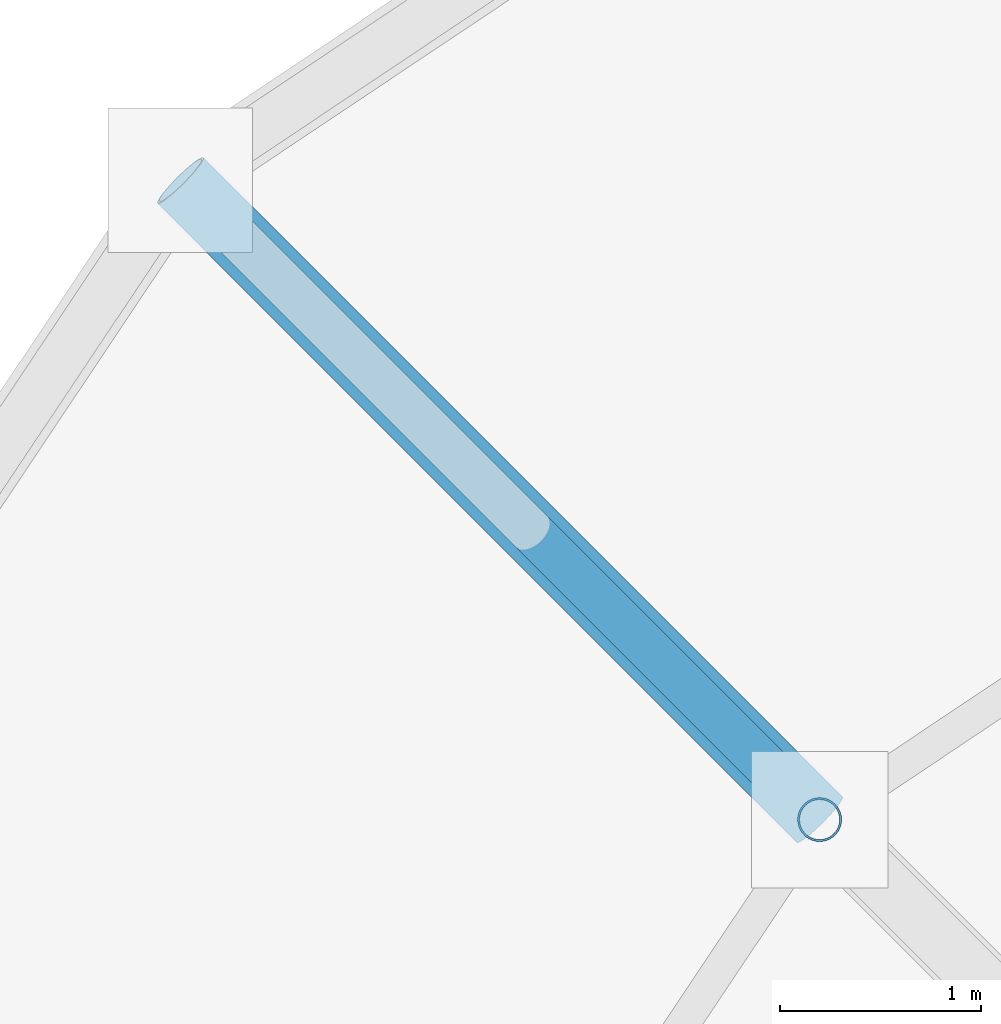
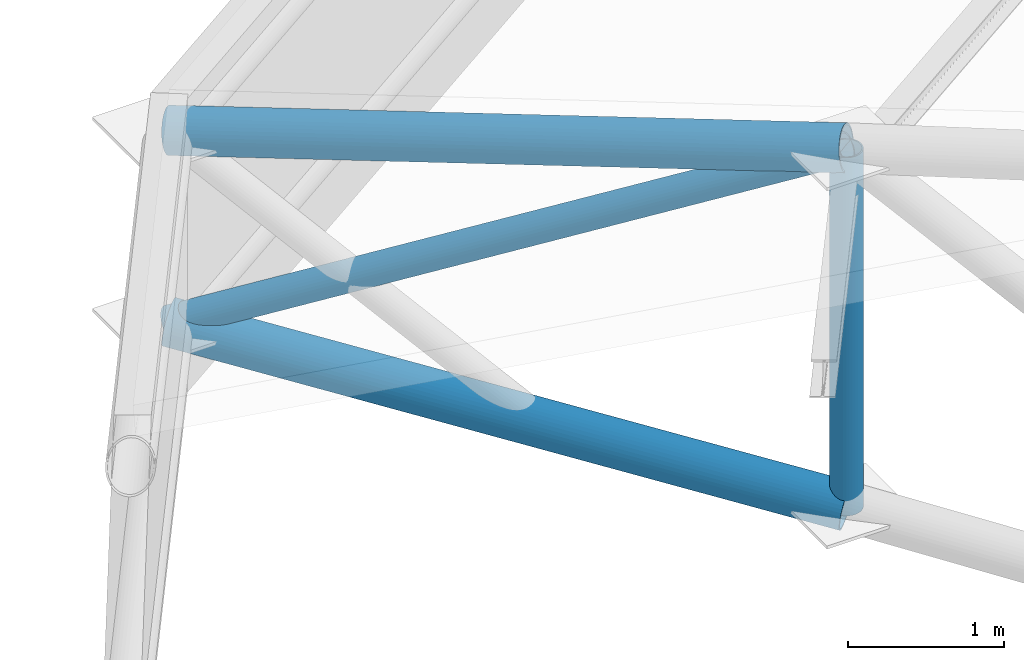
# One storey, part 46 of 146: 4 members.
"""IFC4 building model written with IfcOpenShell, lengths in metres."""

from ifc_helpers import new_model, si_unit, direction, frame, origin, origin_2d, place, context, subcontext, project, spatial, hollow_circle, extrude, material, material_profile, profile_set, type_object, element, save


model = new_model("IFC4")

# Units and contexts
model_context = context("Model", 3, precision=1e-05, world=origin(), true_north=direction((0.0, 1.0)))
body_context = subcontext(model_context, "Body", "Model", "MODEL_VIEW")
ifc_project = project(units=[si_unit("LENGTHUNIT", "METRE"), si_unit("AREAUNIT", "SQUARE_METRE"), si_unit("VOLUMEUNIT", "CUBIC_METRE"), si_unit("PLANEANGLEUNIT", "RADIAN"), si_unit("MASSUNIT", "GRAM", prefix="KILO")], contexts=[model_context])

# Site, building, storey
site_placement = place(None, origin())
site = spatial("IfcSite", under=ifc_project, at=site_placement, CompositionType="ELEMENT")
building_placement = place(site_placement, origin())
building = spatial("IfcBuilding", under=site, at=building_placement, Name="Candeia Ridge Stadium", CompositionType="ELEMENT")
storey_placement = place(building_placement, frame((0.0, 0.0, 31.800048828125)))
storey = spatial("IfcBuildingStorey", under=building, at=storey_placement, Name="RF", CompositionType="ELEMENT", Elevation=31.800048828125)

# Members
ifc_material = material(Name="Steel ASTM A572 Grade 50", Category="steel")
ifc_material_profile_1 = material_profile(ifc_material, hollow_circle(Radius=0.161865234375, WallThickness=0.012451171875, at=origin_2d()), Name="CHS323x12", Category="steel")
ifc_profile_set_1 = profile_set([ifc_material_profile_1], Name="Steel ASTM A572 Grade 50")
member_type_1 = type_object("IfcMemberType", Name="Roof Truss Eaves Chord CHS323x12", PredefinedType="CHORD", material=ifc_profile_set_1)
member_1_placement = place(storey_placement, frame((30.83642578125, 135.16357421875, 3.958251953125), z_axis=(-0.699233040755, 0.699233040755, -0.148816361443), x_axis=(-0.707106781187, -0.707106781187, 0.0)))
element("IfcMember", 1, at=member_1_placement, inside=storey, type_object=member_type_1, Name="Roof cantilever truss RT-10 top chord 8", PredefinedType="CHORD", context=body_context, shape_type="SweptSolid", body=[
    extrude(hollow_circle(Radius=0.161865234375, WallThickness=0.012451171875, at=origin_2d()), origin(), (0.0, 0.0, 1.0), 4.55078125),
])
member_2_placement = place(storey_placement, frame((30.83642578125, 135.16357421875, 1.15185546875), z_axis=(-0.700296133436, 0.700296133436, 0.138458119983), x_axis=(-0.707106781187, -0.707106781187, 0.0)))
element("IfcMember", 2, at=member_2_placement, inside=storey, type_object=member_type_1, Name="Roof cantilever truss RT-10 bottom chord 8", PredefinedType="CHORD", context=body_context, shape_type="SweptSolid", body=[
    extrude(hollow_circle(Radius=0.161865234375, WallThickness=0.012451171875, at=origin_2d()), origin(), (0.0, 0.0, 1.0), 4.5439453125),
])
ifc_material_profile_2 = material_profile(ifc_material, hollow_circle(Radius=0.109619140625, WallThickness=0.010009765625, at=origin_2d()), Name="CHS219x10", Category="steel")
ifc_profile_set_2 = profile_set([ifc_material_profile_2], Name="Steel ASTM A572 Grade 50")
member_type_2 = type_object("IfcMemberType", Name="Roof Truss Inner Web Brace CHS219x10", PredefinedType="BRACE", material=ifc_profile_set_2)
member_3_placement = place(storey_placement, frame((30.83642578125, 135.16357421875, 3.958251953125), z_axis=(-0.636523949664, 0.636523949664, -0.435516386612), x_axis=(-0.707106781187, -0.707106781187, 0.0)))
element("IfcMember", 3, at=member_3_placement, inside=storey, type_object=member_type_2, Name="Roof cantilever truss RT-10 diagonal web 8", PredefinedType="BRACE", context=body_context, shape_type="SweptSolid", body=[
    extrude(hollow_circle(Radius=0.109619140625, WallThickness=0.010009765625, at=origin_2d()), origin(), (0.0, 0.0, 1.0), 4.999267578125),
])
member_4_placement = place(storey_placement, frame((30.83642578125, 135.16357421875, 1.15185546875), z_axis=(0.0, 0.0, 1.0), x_axis=(1.0, 0.0, 0.0)))
element("IfcMember", 4, at=member_4_placement, inside=storey, type_object=member_type_2, Name="Roof cantilever truss RT-10 vertical post 7", PredefinedType="BRACE", context=body_context, shape_type="SweptSolid", body=[
    extrude(hollow_circle(Radius=0.109619140625, WallThickness=0.010009765625, at=origin_2d()), origin(), (0.0, 0.0, 1.0), 2.806396484375),
])

save(model, "model.ifc")
